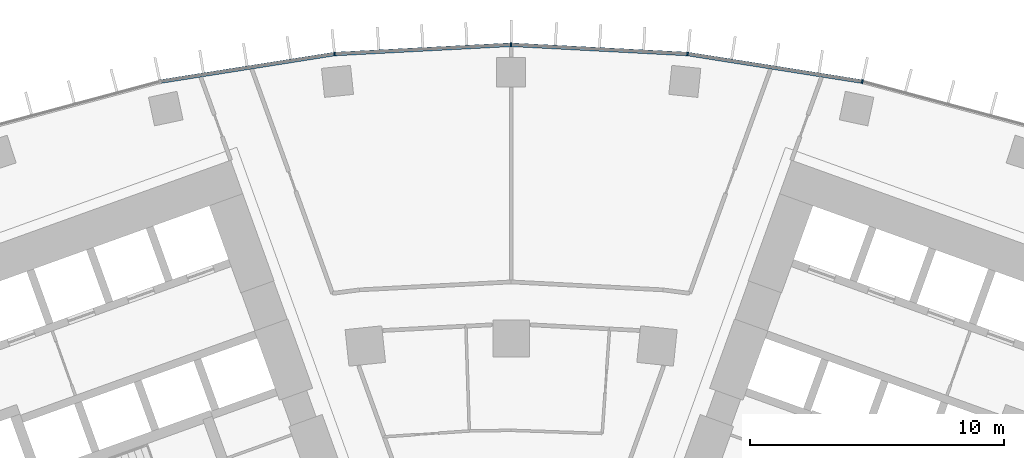
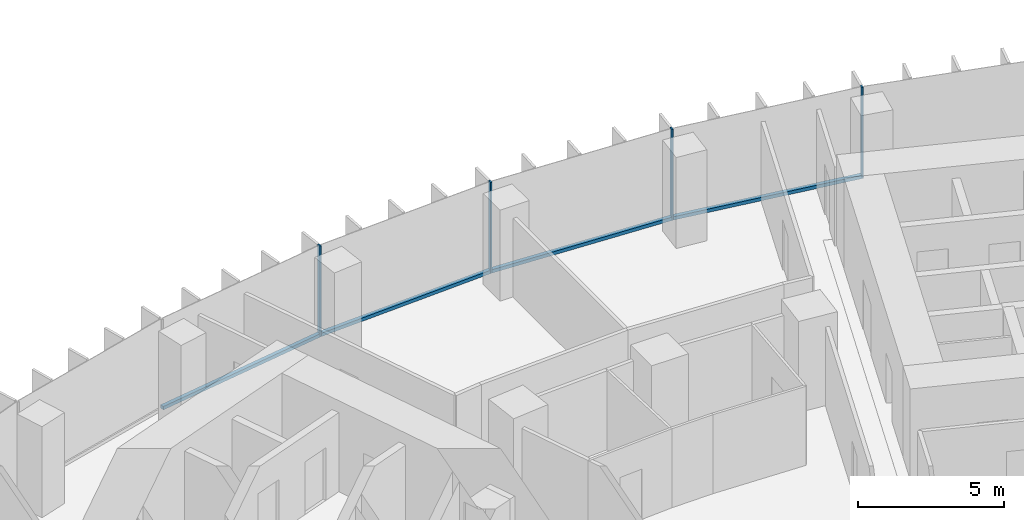
# One storey, part 7 of 22: 8 members, 1 element without a shape of its own.
"""IFC4 building model written with IfcOpenShell, lengths in metres."""

from ifc_helpers import new_model, si_unit, direction, frame, origin, origin_2d, place, context, subcontext, project, spatial, rectangle, extrude, material, layer, layer_set, material_profile, profile_set, type_object, element, aggregate, save


model = new_model("IFC4")

# Units and contexts
model_context = context("Model", 3, precision=1e-05, world=origin(), true_north=direction((0.0, 1.0)))
body_context = subcontext(model_context, "Body", "Model", "MODEL_VIEW")
ifc_project = project(units=[si_unit("LENGTHUNIT", "METRE"), si_unit("AREAUNIT", "SQUARE_METRE"), si_unit("VOLUMEUNIT", "CUBIC_METRE"), si_unit("PLANEANGLEUNIT", "RADIAN"), si_unit("MASSUNIT", "GRAM", prefix="KILO")], contexts=[model_context])

# Site, building, storey
site_placement = place(None, origin())
site = spatial("IfcSite", under=ifc_project, at=site_placement, CompositionType="ELEMENT")
building_placement = place(site_placement, origin())
building = spatial("IfcBuilding", under=site, at=building_placement, Name="Stone Belt Terrace Tower", CompositionType="ELEMENT")
storey_placement = place(building_placement, frame((0.0, 0.0, 132.60009765625)))
storey = spatial("IfcBuildingStorey", under=building, at=storey_placement, Name="L32", CompositionType="ELEMENT", Elevation=132.60009765625)

# Curtain wall, members
ifc_material = material(Name="Aluminium 6063-T6 anodised frame", Category="aluminium")
ifc_layer = layer(ifc_material, 0.14990234375)
ifc_layer_set = layer_set([ifc_layer], Name="CW-A unitised convex-face curtain wall")
curtain_wall_type = type_object("IfcCurtainWallType", Name="CW-A unitised convex-face curtain wall", PredefinedType="NOTDEFINED", material=ifc_layer_set)
curtain_wall_placement = place(storey_placement, origin())
curtain_wall = element("IfcCurtainWall", 1, at=curtain_wall_placement, inside=storey, type_object=curtain_wall_type, Name="CW-A convex face L32", PredefinedType="NOTDEFINED")
ifc_material_profile_1 = material_profile(ifc_material, rectangle(XDim=0.14990234375, YDim=0.06005859375, at=origin_2d()), Name="Aluminium 6063-T6 60x150")
ifc_profile_set_1 = profile_set([ifc_material_profile_1], Name="Aluminium 6063-T6 anodised frame")
member_type_1 = type_object("IfcMemberType", Name="CW-A mullion 60 x 150", PredefinedType="MULLION", material=ifc_profile_set_1)
member_1_placement = place(storey_placement, frame((13.841796875, 65.120361328125, 0.0), z_axis=(0.0, 0.0, 1.0), x_axis=(-0.207911690818, -0.978147600734, 0.0)))
member_1 = element("IfcMember", 2, at=member_1_placement, type_object=member_type_1, Name="CW-A mullion 8", PredefinedType="MULLION", context=body_context, shape_type="SweptSolid", body=[
    extrude(rectangle(XDim=0.14990234375, YDim=0.06005859375, at=origin_2d()), origin(), (0.0, 0.0, 1.0), 3.7998046875),
])
member_2_placement = place(storey_placement, frame((6.958984375, 66.21044921875, 0.0), z_axis=(0.0, 0.0, 1.0), x_axis=(-0.104528463268, -0.994521895368, 0.0)))
member_2 = element("IfcMember", 3, at=member_2_placement, type_object=member_type_1, Name="CW-A mullion 9", PredefinedType="MULLION", context=body_context, shape_type="SweptSolid", body=[
    extrude(rectangle(XDim=0.14990234375, YDim=0.06005859375, at=origin_2d()), origin(), (0.0, 0.0, 1.0), 3.7998046875),
])
member_3_placement = place(storey_placement, frame((0.0, 66.5751953125, 0.0), z_axis=(0.0, 0.0, 1.0), x_axis=(0.0, -1.0, 0.0)))
member_3 = element("IfcMember", 4, at=member_3_placement, type_object=member_type_1, Name="CW-A mullion 10", PredefinedType="MULLION", context=body_context, shape_type="SweptSolid", body=[
    extrude(rectangle(XDim=0.14990234375, YDim=0.06005859375, at=origin_2d()), origin(), (0.0, 0.0, 1.0), 3.7998046875),
])
member_4_placement = place(storey_placement, frame((-6.958984375, 66.21044921875, 0.0), z_axis=(0.0, 0.0, 1.0), x_axis=(0.104528463268, -0.994521895368, 0.0)))
member_4 = element("IfcMember", 5, at=member_4_placement, type_object=member_type_1, Name="CW-A mullion 11", PredefinedType="MULLION", context=body_context, shape_type="SweptSolid", body=[
    extrude(rectangle(XDim=0.14990234375, YDim=0.06005859375, at=origin_2d()), origin(), (0.0, 0.0, 1.0), 3.7998046875),
])
ifc_material_profile_2 = material_profile(ifc_material, rectangle(XDim=0.14990234375, YDim=0.139892578125, at=origin_2d()), Name="Aluminium 6063-T6 150x140")
ifc_profile_set_2 = profile_set([ifc_material_profile_2], Name="Aluminium 6063-T6 anodised frame")
member_type_2 = type_object("IfcMemberType", Name="CW-A transom 140 x 150", PredefinedType="USERDEFINED", material=ifc_profile_set_2)
member_5_placement = place(storey_placement, frame((13.808349609375, 65.12548828125, 0.06982421875), z_axis=(-0.987687120531, 0.156442168027, 0.0), x_axis=(-0.156442168027, -0.987687120531, 0.0)))
member_5 = element("IfcMember", 6, at=member_5_placement, type_object=member_type_2, Name="CW-A transom 8.1", ObjectType="TRANSOM", PredefinedType="USERDEFINED", context=body_context, shape_type="SweptSolid", body=[
    extrude(rectangle(XDim=0.14990234375, YDim=0.139892578125, at=origin_2d()), origin(), (0.0, 0.0, 1.0), 6.90087890625),
])
member_6_placement = place(storey_placement, frame((6.925048828125, 66.212158203125, 0.06982421875), z_axis=(-0.998630019135, 0.052326712899, 0.0), x_axis=(-0.052326712899, -0.998630019135, 0.0)))
member_6 = element("IfcMember", 7, at=member_6_placement, type_object=member_type_2, Name="CW-A transom 9.1", ObjectType="TRANSOM", PredefinedType="USERDEFINED", context=body_context, shape_type="SweptSolid", body=[
    extrude(rectangle(XDim=0.14990234375, YDim=0.139892578125, at=origin_2d()), origin(), (0.0, 0.0, 1.0), 6.900634765625),
])
member_7_placement = place(storey_placement, frame((-0.033935546875, 66.5732421875, 0.06982421875), z_axis=(-0.998630019135, -0.052326712899, 0.0), x_axis=(0.052326712899, -0.998630019135, 0.0)))
member_7 = element("IfcMember", 8, at=member_7_placement, type_object=member_type_2, Name="CW-A transom 10.1", ObjectType="TRANSOM", PredefinedType="USERDEFINED", context=body_context, shape_type="SweptSolid", body=[
    extrude(rectangle(XDim=0.14990234375, YDim=0.139892578125, at=origin_2d()), origin(), (0.0, 0.0, 1.0), 6.900634765625),
])
member_8_placement = place(storey_placement, frame((-6.992431640625, 66.205078125, 0.06982421875), z_axis=(-0.987687120531, -0.156442168027, 0.0), x_axis=(0.156442168027, -0.987687120531, 0.0)))
member_8 = element("IfcMember", 9, at=member_8_placement, type_object=member_type_2, Name="CW-A transom 11.1", ObjectType="TRANSOM", PredefinedType="USERDEFINED", context=body_context, shape_type="SweptSolid", body=[
    extrude(rectangle(XDim=0.14990234375, YDim=0.139892578125, at=origin_2d()), origin(), (0.0, 0.0, 1.0), 6.90087890625),
])
aggregate(curtain_wall, [member_1, member_2, member_3, member_4, member_5, member_6, member_7, member_8])

save(model, "model.ifc")
